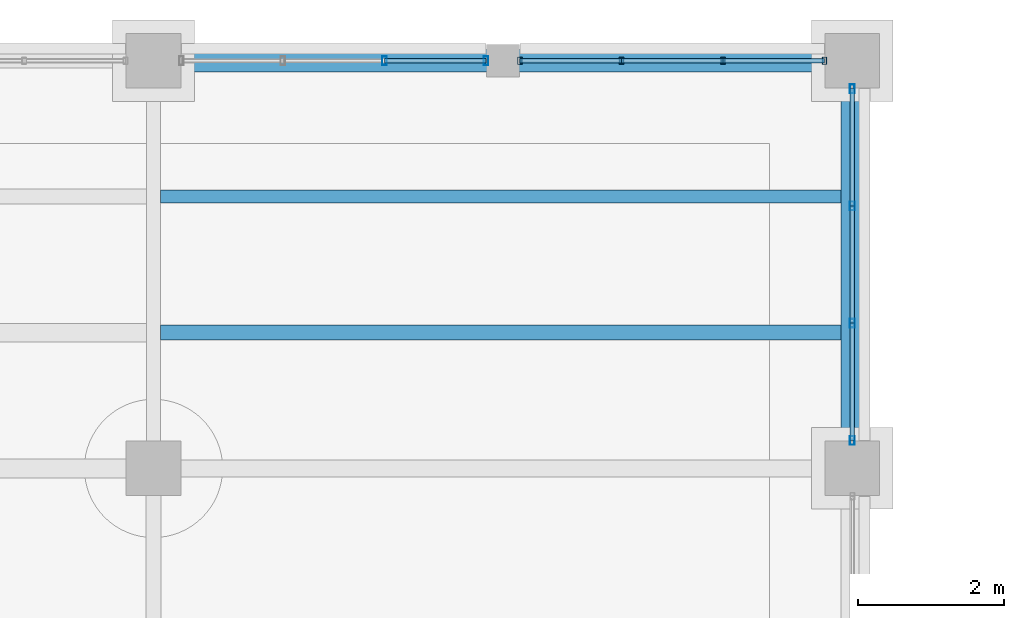
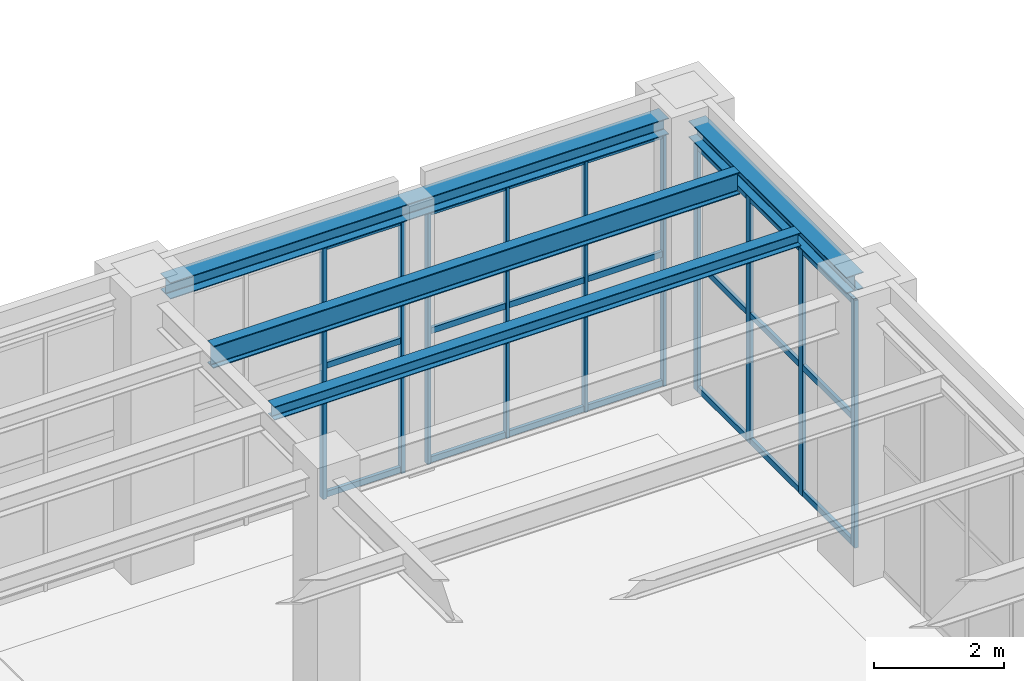
# One storey, part 82 of 164: 31 members, 4 beams, 3 elements without a shape of their own.
"""IFC4 building model written with IfcOpenShell, lengths in metres."""

from ifc_helpers import new_model, si_unit, direction, frame, origin, origin_2d, place, context, subcontext, project, spatial, hollow_rectangle, i_section, extrude, material, material_profile, profile_set, type_object, element, aggregate, save


model = new_model("IFC4")

# Units and contexts
model_context = context("Model", 3, precision=1e-05, world=origin(), true_north=direction((0.0, 1.0)))
body_context = subcontext(model_context, "Body", "Model", "MODEL_VIEW")
ifc_project = project(units=[si_unit("LENGTHUNIT", "METRE"), si_unit("AREAUNIT", "SQUARE_METRE"), si_unit("VOLUMEUNIT", "CUBIC_METRE"), si_unit("PLANEANGLEUNIT", "RADIAN"), si_unit("MASSUNIT", "GRAM", prefix="KILO")], contexts=[model_context])

# Site, building, storey
site_placement = place(None, origin())
site = spatial("IfcSite", under=ifc_project, at=site_placement, CompositionType="ELEMENT")
building_placement = place(site_placement, origin())
building = spatial("IfcBuilding", under=site, at=building_placement, Name="Mavantir Sound Aquarium", CompositionType="ELEMENT")
storey_placement = place(building_placement, origin())
storey = spatial("IfcBuildingStorey", under=building, at=storey_placement, Name="L00", CompositionType="ELEMENT", Elevation=0.0)

# Beams
ifc_material_1 = material(Name="Structural Steel ASTM A992 Gr50", Category="steel")
ifc_material_profile_1 = material_profile(ifc_material_1, i_section(OverallWidth=0.202880859375, OverallDepth=0.251953125, WebThickness=0.008056640625, FlangeThickness=0.013427734375, FilletRadius=0.011962890625, at=origin_2d()), Name="W250X58")
ifc_profile_set_1 = profile_set([ifc_material_profile_1], Name="Structural Steel ASTM A992 Gr50")
beam_type_1 = type_object("IfcBeamType", Name="BM-W250X58-I", PredefinedType="JOIST", material=ifc_profile_set_1)
beam_1_placement = place(storey_placement, frame((28.89697265625, 112.2666015625, 4.969970703125), z_axis=(1.0, 0.0, 0.0), x_axis=(0.0, 1.0, 0.0)))
element("IfcBeam", 1, at=beam_1_placement, inside=storey, type_object=beam_type_1, Name="L00 secondary floor joist SJ-25 608", PredefinedType="JOIST", context=body_context, shape_type="SweptSolid", body=[
    extrude(i_section(OverallWidth=0.202880859375, OverallDepth=0.251953125, WebThickness=0.008056640625, FlangeThickness=0.013427734375, FilletRadius=0.011962890625, at=origin_2d()), origin(), (0.0, 0.0, 1.0), 9.3505859375),
])
ifc_material_profile_2 = material_profile(ifc_material_1, i_section(OverallWidth=0.304931640625, OverallDepth=0.30810546875, WebThickness=0.010009765625, FlangeThickness=0.015380859375, FilletRadius=0.014892578125, at=origin_2d()), Name="W310X97")
ifc_profile_set_2 = profile_set([ifc_material_profile_2], Name="Structural Steel ASTM A992 Gr50")
beam_type_2 = type_object("IfcBeamType", Name="BM-W310X97-E", PredefinedType="SPANDREL", material=ifc_profile_set_2)
beam_2_placement = place(storey_placement, frame((29.175048828125, 116.0, 4.94189453125), z_axis=(1.0, 0.0, 0.0), x_axis=(0.0, 1.0, 0.0)))
element("IfcBeam", 2, at=beam_2_placement, inside=storey, type_object=beam_type_2, Name="L00 primary beam SS-31A 1049", PredefinedType="SPANDREL", context=body_context, shape_type="SweptSolid", body=[
    extrude(i_section(OverallWidth=0.304931640625, OverallDepth=0.30810546875, WebThickness=0.010009765625, FlangeThickness=0.015380859375, FilletRadius=0.014892578125, at=origin_2d()), origin(), (0.0, 0.0, 1.0), 8.849853515625),
])
beam_3_placement = place(storey_placement, frame((38.39990234375, 110.77490234375, 4.94189453125), z_axis=(0.0, 1.0, 0.0), x_axis=(-1.0, 0.0, 0.0)))
element("IfcBeam", 3, at=beam_3_placement, inside=storey, type_object=beam_type_2, Name="L00 primary girder SS-31A 1069", PredefinedType="SPANDREL", context=body_context, shape_type="SweptSolid", body=[
    extrude(i_section(OverallWidth=0.304931640625, OverallDepth=0.30810546875, WebThickness=0.010009765625, FlangeThickness=0.015380859375, FilletRadius=0.014892578125, at=origin_2d()), origin(), (0.0, 0.0, 1.0), 4.85009765625),
])
ifc_material_profile_3 = material_profile(ifc_material_1, i_section(OverallWidth=0.180908203125, OverallDepth=0.4169921875, WebThickness=0.010986328125, FlangeThickness=0.018310546875, FilletRadius=0.014892578125, at=origin_2d()), Name="W410X85")
ifc_profile_set_3 = profile_set([ifc_material_profile_3], Name="Structural Steel ASTM A992 Gr50")
beam_type_3 = type_object("IfcBeamType", Name="BM-W410X85-I", PredefinedType="JOIST", material=ifc_profile_set_3)
beam_4_placement = place(storey_placement, frame((28.89697265625, 114.13330078125, 4.887451171875), z_axis=(1.0, 0.0, 0.0), x_axis=(0.0, 1.0, 0.0)))
element("IfcBeam", 4, at=beam_4_placement, inside=storey, type_object=beam_type_3, Name="L00 secondary floor joist SJ-41 609", PredefinedType="JOIST", context=body_context, shape_type="SweptSolid", body=[
    extrude(i_section(OverallWidth=0.180908203125, OverallDepth=0.4169921875, WebThickness=0.010986328125, FlangeThickness=0.018310546875, FilletRadius=0.014892578125, at=origin_2d()), origin(), (0.0, 0.0, 1.0), 9.3505859375),
])

# Curtain wall, members
ifc_material_2 = material(Name="Anodised Marine Aluminium and Low-E Glass", Category="aluminium")
curtain_wall_type_1 = type_object("IfcCurtainWallType", Name="CW-T11", PredefinedType="USERDEFINED", material=ifc_material_2)
curtain_wall_1_placement = place(storey_placement, origin())
curtain_wall_1 = element("IfcCurtainWall", 5, at=curtain_wall_1_placement, inside=storey, type_object=curtain_wall_type_1, Name="L00 unitised curtain wall CW-11 35", ObjectType="UNITISED GLAZING", PredefinedType="USERDEFINED")
ifc_material_3 = material(Name="Anodised Marine Aluminium 6063-T6", Category="aluminium")
ifc_material_profile_4 = material_profile(ifc_material_3, hollow_rectangle(XDim=0.06005859375, YDim=0.10009765625, WallThickness=0.00390625, at=origin_2d()), Name="ALU-MULLION-100X60")
ifc_profile_set_4 = profile_set([ifc_material_profile_4], Name="Anodised Marine Aluminium 6063-T6")
member_type_1 = type_object("IfcMemberType", Name="CW-MUL-100", PredefinedType="MULLION", material=ifc_profile_set_4)
member_1_placement = place(storey_placement, frame((38.01708984375, 116.0, 0.0), z_axis=(0.0, 0.0, 1.0), x_axis=(1.0, 0.0, 0.0)))
member_1 = element("IfcMember", 6, at=member_1_placement, type_object=member_type_1, Name="CW-L00-035 vertical mullion 1", PredefinedType="MULLION", context=body_context, shape_type="SweptSolid", body=[
    extrude(hollow_rectangle(XDim=0.06005859375, YDim=0.10009765625, WallThickness=0.00390625, at=origin_2d()), origin(), (0.0, 0.0, 1.0), 4.758056640625),
])
member_2_placement = place(storey_placement, frame((36.622314453125, 116.0, 0.0), z_axis=(0.0, 0.0, 1.0), x_axis=(1.0, 0.0, 0.0)))
member_2 = element("IfcMember", 7, at=member_2_placement, type_object=member_type_1, Name="CW-L00-035 vertical mullion 2", PredefinedType="MULLION", context=body_context, shape_type="SweptSolid", body=[
    extrude(hollow_rectangle(XDim=0.06005859375, YDim=0.10009765625, WallThickness=0.00390625, at=origin_2d()), origin(), (0.0, 0.0, 1.0), 4.758056640625),
])
member_3_placement = place(storey_placement, frame((35.227783203125, 116.0, 0.0), z_axis=(0.0, 0.0, 1.0), x_axis=(1.0, 0.0, 0.0)))
member_3 = element("IfcMember", 8, at=member_3_placement, type_object=member_type_1, Name="CW-L00-035 vertical mullion 3", PredefinedType="MULLION", context=body_context, shape_type="SweptSolid", body=[
    extrude(hollow_rectangle(XDim=0.06005859375, YDim=0.10009765625, WallThickness=0.00390625, at=origin_2d()), origin(), (0.0, 0.0, 1.0), 4.758056640625),
])
member_4_placement = place(storey_placement, frame((33.8330078125, 116.0, 0.0), z_axis=(0.0, 0.0, 1.0), x_axis=(1.0, 0.0, 0.0)))
member_4 = element("IfcMember", 9, at=member_4_placement, type_object=member_type_1, Name="CW-L00-035 vertical mullion 4", PredefinedType="MULLION", context=body_context, shape_type="SweptSolid", body=[
    extrude(hollow_rectangle(XDim=0.06005859375, YDim=0.10009765625, WallThickness=0.00390625, at=origin_2d()), origin(), (0.0, 0.0, 1.0), 4.758056640625),
])

curtain_wall_type_2 = type_object("IfcCurtainWallType", Name="CW-T10", PredefinedType="USERDEFINED", material=ifc_material_2)
curtain_wall_2_placement = place(storey_placement, origin())
curtain_wall_2 = element("IfcCurtainWall", 10, at=curtain_wall_2_placement, inside=storey, type_object=curtain_wall_type_2, Name="L00 unitised curtain wall CW-10 34", ObjectType="UNITISED GLAZING", PredefinedType="USERDEFINED")
ifc_material_profile_5 = material_profile(ifc_material_3, hollow_rectangle(XDim=0.06494140625, YDim=0.1201171875, WallThickness=0.00390625, at=origin_2d()), Name="ALU-MULLION-120X65")
ifc_profile_set_5 = profile_set([ifc_material_profile_5], Name="Anodised Marine Aluminium 6063-T6")
member_type_2 = type_object("IfcMemberType", Name="CW-MUL-120", PredefinedType="MULLION", material=ifc_profile_set_5)
member_5_placement = place(storey_placement, frame((38.39990234375, 110.782958984375, 0.0), z_axis=(0.0, 0.0, 1.0), x_axis=(1.0, 0.0, 0.0)))
member_5 = element("IfcMember", 11, at=member_5_placement, type_object=member_type_2, Name="CW-L00-034 vertical mullion 1", PredefinedType="MULLION", context=body_context, shape_type="SweptSolid", body=[
    extrude(hollow_rectangle(XDim=0.06494140625, YDim=0.1201171875, WallThickness=0.00390625, at=origin_2d()), origin(), (0.0, 0.0, 1.0), 4.64892578125),
])
member_6_placement = place(storey_placement, frame((38.39990234375, 112.394287109375, 0.0), z_axis=(0.0, 0.0, 1.0), x_axis=(1.0, 0.0, 0.0)))
member_6 = element("IfcMember", 12, at=member_6_placement, type_object=member_type_2, Name="CW-L00-034 vertical mullion 2", PredefinedType="MULLION", context=body_context, shape_type="SweptSolid", body=[
    extrude(hollow_rectangle(XDim=0.06494140625, YDim=0.1201171875, WallThickness=0.00390625, at=origin_2d()), origin(), (0.0, 0.0, 1.0), 4.64892578125),
])
member_7_placement = place(storey_placement, frame((38.39990234375, 114.005615234375, 0.0), z_axis=(0.0, 0.0, 1.0), x_axis=(1.0, 0.0, 0.0)))
member_7 = element("IfcMember", 13, at=member_7_placement, type_object=member_type_2, Name="CW-L00-034 vertical mullion 3", PredefinedType="MULLION", context=body_context, shape_type="SweptSolid", body=[
    extrude(hollow_rectangle(XDim=0.06494140625, YDim=0.1201171875, WallThickness=0.00390625, at=origin_2d()), origin(), (0.0, 0.0, 1.0), 4.64892578125),
])
member_8_placement = place(storey_placement, frame((38.39990234375, 115.616943359375, 0.0), z_axis=(0.0, 0.0, 1.0), x_axis=(1.0, 0.0, 0.0)))
member_8 = element("IfcMember", 14, at=member_8_placement, type_object=member_type_2, Name="CW-L00-034 vertical mullion 4", PredefinedType="MULLION", context=body_context, shape_type="SweptSolid", body=[
    extrude(hollow_rectangle(XDim=0.06494140625, YDim=0.1201171875, WallThickness=0.00390625, at=origin_2d()), origin(), (0.0, 0.0, 1.0), 4.64892578125),
])

curtain_wall_type_3 = type_object("IfcCurtainWallType", Name="CW-T12", PredefinedType="USERDEFINED", material=ifc_material_2)
curtain_wall_3_placement = place(storey_placement, origin())
curtain_wall_3 = element("IfcCurtainWall", 15, at=curtain_wall_3_placement, inside=storey, type_object=curtain_wall_type_3, Name="L00 unitised curtain wall CW-12 36", ObjectType="UNITISED GLAZING", PredefinedType="USERDEFINED")
member_9_placement = place(storey_placement, frame((33.366943359375, 116.0, 0.0), z_axis=(0.0, 0.0, 1.0), x_axis=(1.0, 0.0, 0.0)))
member_9 = element("IfcMember", 16, at=member_9_placement, type_object=member_type_2, Name="CW-L00-036 vertical mullion 1", PredefinedType="MULLION", context=body_context, shape_type="SweptSolid", body=[
    extrude(hollow_rectangle(XDim=0.06494140625, YDim=0.1201171875, WallThickness=0.00390625, at=origin_2d()), origin(), (0.0, 0.0, 1.0), 4.758056640625),
])
member_10_placement = place(storey_placement, frame((31.972412109375, 116.0, 0.0), z_axis=(0.0, 0.0, 1.0), x_axis=(1.0, 0.0, 0.0)))
member_10 = element("IfcMember", 17, at=member_10_placement, type_object=member_type_2, Name="CW-L00-036 vertical mullion 2", PredefinedType="MULLION", context=body_context, shape_type="SweptSolid", body=[
    extrude(hollow_rectangle(XDim=0.06494140625, YDim=0.1201171875, WallThickness=0.00390625, at=origin_2d()), origin(), (0.0, 0.0, 1.0), 4.758056640625),
])

# Member
ifc_material_profile_6 = material_profile(ifc_material_3, hollow_rectangle(XDim=0.06005859375, YDim=0.110107421875, WallThickness=0.00390625, at=origin_2d()), Name="ALU-TRANSOM-110X60")
ifc_profile_set_6 = profile_set([ifc_material_profile_6], Name="Anodised Marine Aluminium 6063-T6")
member_type_3 = type_object("IfcMemberType", Name="CW-TRN-110", PredefinedType="USERDEFINED", material=ifc_profile_set_6)
member_11_placement = place(storey_placement, frame((38.39990234375, 110.782958984375, 0.054931640625), z_axis=(0.0, 1.0, 0.0), x_axis=(-1.0, 0.0, 0.0)))
member_11 = element("IfcMember", 18, at=member_11_placement, type_object=member_type_3, Name="CW-L00-034 transom 1.1", ObjectType="TRANSOM", PredefinedType="USERDEFINED", context=body_context, shape_type="SweptSolid", body=[
    extrude(hollow_rectangle(XDim=0.06005859375, YDim=0.110107421875, WallThickness=0.00390625, at=origin_2d()), origin(), (0.0, 0.0, 1.0), 1.611328125),
])

member_12_placement = place(storey_placement, frame((38.39990234375, 110.782958984375, 2.41748046875), z_axis=(0.0, 1.0, 0.0), x_axis=(-1.0, 0.0, 0.0)))
member_12 = element("IfcMember", 19, at=member_12_placement, type_object=member_type_3, Name="CW-L00-034 transom 1.2", ObjectType="TRANSOM", PredefinedType="USERDEFINED", context=body_context, shape_type="SweptSolid", body=[
    extrude(hollow_rectangle(XDim=0.06005859375, YDim=0.110107421875, WallThickness=0.00390625, at=origin_2d()), origin(), (0.0, 0.0, 1.0), 1.611328125),
])

member_13_placement = place(storey_placement, frame((38.39990234375, 110.782958984375, 4.593994140625), z_axis=(0.0, 1.0, 0.0), x_axis=(-1.0, 0.0, 0.0)))
member_13 = element("IfcMember", 20, at=member_13_placement, type_object=member_type_3, Name="CW-L00-034 transom 1.3", ObjectType="TRANSOM", PredefinedType="USERDEFINED", context=body_context, shape_type="SweptSolid", body=[
    extrude(hollow_rectangle(XDim=0.06005859375, YDim=0.110107421875, WallThickness=0.00390625, at=origin_2d()), origin(), (0.0, 0.0, 1.0), 1.611328125),
])

member_14_placement = place(storey_placement, frame((38.39990234375, 112.394287109375, 0.054931640625), z_axis=(0.0, 1.0, 0.0), x_axis=(-1.0, 0.0, 0.0)))
member_14 = element("IfcMember", 21, at=member_14_placement, type_object=member_type_3, Name="CW-L00-034 transom 2.1", ObjectType="TRANSOM", PredefinedType="USERDEFINED", context=body_context, shape_type="SweptSolid", body=[
    extrude(hollow_rectangle(XDim=0.06005859375, YDim=0.110107421875, WallThickness=0.00390625, at=origin_2d()), origin(), (0.0, 0.0, 1.0), 1.611328125),
])

member_15_placement = place(storey_placement, frame((38.39990234375, 112.394287109375, 2.41748046875), z_axis=(0.0, 1.0, 0.0), x_axis=(-1.0, 0.0, 0.0)))
member_15 = element("IfcMember", 22, at=member_15_placement, type_object=member_type_3, Name="CW-L00-034 transom 2.2", ObjectType="TRANSOM", PredefinedType="USERDEFINED", context=body_context, shape_type="SweptSolid", body=[
    extrude(hollow_rectangle(XDim=0.06005859375, YDim=0.110107421875, WallThickness=0.00390625, at=origin_2d()), origin(), (0.0, 0.0, 1.0), 1.611328125),
])

member_16_placement = place(storey_placement, frame((38.39990234375, 112.394287109375, 4.593994140625), z_axis=(0.0, 1.0, 0.0), x_axis=(-1.0, 0.0, 0.0)))
member_16 = element("IfcMember", 23, at=member_16_placement, type_object=member_type_3, Name="CW-L00-034 transom 2.3", ObjectType="TRANSOM", PredefinedType="USERDEFINED", context=body_context, shape_type="SweptSolid", body=[
    extrude(hollow_rectangle(XDim=0.06005859375, YDim=0.110107421875, WallThickness=0.00390625, at=origin_2d()), origin(), (0.0, 0.0, 1.0), 1.611328125),
])

member_17_placement = place(storey_placement, frame((38.39990234375, 114.005615234375, 0.054931640625), z_axis=(0.0, 1.0, 0.0), x_axis=(-1.0, 0.0, 0.0)))
member_17 = element("IfcMember", 24, at=member_17_placement, type_object=member_type_3, Name="CW-L00-034 transom 3.1", ObjectType="TRANSOM", PredefinedType="USERDEFINED", context=body_context, shape_type="SweptSolid", body=[
    extrude(hollow_rectangle(XDim=0.06005859375, YDim=0.110107421875, WallThickness=0.00390625, at=origin_2d()), origin(), (0.0, 0.0, 1.0), 1.611328125),
])

member_18_placement = place(storey_placement, frame((38.39990234375, 114.005615234375, 2.41748046875), z_axis=(0.0, 1.0, 0.0), x_axis=(-1.0, 0.0, 0.0)))
member_18 = element("IfcMember", 25, at=member_18_placement, type_object=member_type_3, Name="CW-L00-034 transom 3.2", ObjectType="TRANSOM", PredefinedType="USERDEFINED", context=body_context, shape_type="SweptSolid", body=[
    extrude(hollow_rectangle(XDim=0.06005859375, YDim=0.110107421875, WallThickness=0.00390625, at=origin_2d()), origin(), (0.0, 0.0, 1.0), 1.611328125),
])

member_19_placement = place(storey_placement, frame((38.39990234375, 114.005615234375, 4.593994140625), z_axis=(0.0, 1.0, 0.0), x_axis=(-1.0, 0.0, 0.0)))
member_19 = element("IfcMember", 26, at=member_19_placement, type_object=member_type_3, Name="CW-L00-034 transom 3.3", ObjectType="TRANSOM", PredefinedType="USERDEFINED", context=body_context, shape_type="SweptSolid", body=[
    extrude(hollow_rectangle(XDim=0.06005859375, YDim=0.110107421875, WallThickness=0.00390625, at=origin_2d()), origin(), (0.0, 0.0, 1.0), 1.611328125),
])

aggregate(curtain_wall_2, [member_5, member_6, member_7, member_8, member_11, member_12, member_13, member_14, member_15, member_16, member_17, member_18, member_19])

member_20_placement = place(storey_placement, frame((38.01708984375, 116.0, 0.054931640625), z_axis=(-1.0, 0.0, 0.0), x_axis=(0.0, -1.0, 0.0)))
member_20 = element("IfcMember", 27, at=member_20_placement, type_object=member_type_3, Name="CW-L00-035 transom 1.1", ObjectType="TRANSOM", PredefinedType="USERDEFINED", context=body_context, shape_type="SweptSolid", body=[
    extrude(hollow_rectangle(XDim=0.06005859375, YDim=0.110107421875, WallThickness=0.00390625, at=origin_2d()), origin(), (0.0, 0.0, 1.0), 1.394775390625),
])

member_21_placement = place(storey_placement, frame((38.01708984375, 116.0, 2.47412109375), z_axis=(-1.0, 0.0, 0.0), x_axis=(0.0, -1.0, 0.0)))
member_21 = element("IfcMember", 28, at=member_21_placement, type_object=member_type_3, Name="CW-L00-035 transom 1.2", ObjectType="TRANSOM", PredefinedType="USERDEFINED", context=body_context, shape_type="SweptSolid", body=[
    extrude(hollow_rectangle(XDim=0.06005859375, YDim=0.110107421875, WallThickness=0.00390625, at=origin_2d()), origin(), (0.0, 0.0, 1.0), 1.394775390625),
])

member_22_placement = place(storey_placement, frame((38.01708984375, 116.0, 4.702880859375), z_axis=(-1.0, 0.0, 0.0), x_axis=(0.0, -1.0, 0.0)))
member_22 = element("IfcMember", 29, at=member_22_placement, type_object=member_type_3, Name="CW-L00-035 transom 1.3", ObjectType="TRANSOM", PredefinedType="USERDEFINED", context=body_context, shape_type="SweptSolid", body=[
    extrude(hollow_rectangle(XDim=0.06005859375, YDim=0.110107421875, WallThickness=0.00390625, at=origin_2d()), origin(), (0.0, 0.0, 1.0), 1.394775390625),
])

member_23_placement = place(storey_placement, frame((36.622314453125, 116.0, 0.054931640625), z_axis=(-1.0, 0.0, 0.0), x_axis=(0.0, -1.0, 0.0)))
member_23 = element("IfcMember", 30, at=member_23_placement, type_object=member_type_3, Name="CW-L00-035 transom 2.1", ObjectType="TRANSOM", PredefinedType="USERDEFINED", context=body_context, shape_type="SweptSolid", body=[
    extrude(hollow_rectangle(XDim=0.06005859375, YDim=0.110107421875, WallThickness=0.00390625, at=origin_2d()), origin(), (0.0, 0.0, 1.0), 1.39453125),
])

member_24_placement = place(storey_placement, frame((36.622314453125, 116.0, 2.47412109375), z_axis=(-1.0, 0.0, 0.0), x_axis=(0.0, -1.0, 0.0)))
member_24 = element("IfcMember", 31, at=member_24_placement, type_object=member_type_3, Name="CW-L00-035 transom 2.2", ObjectType="TRANSOM", PredefinedType="USERDEFINED", context=body_context, shape_type="SweptSolid", body=[
    extrude(hollow_rectangle(XDim=0.06005859375, YDim=0.110107421875, WallThickness=0.00390625, at=origin_2d()), origin(), (0.0, 0.0, 1.0), 1.39453125),
])

member_25_placement = place(storey_placement, frame((36.622314453125, 116.0, 4.702880859375), z_axis=(-1.0, 0.0, 0.0), x_axis=(0.0, -1.0, 0.0)))
member_25 = element("IfcMember", 32, at=member_25_placement, type_object=member_type_3, Name="CW-L00-035 transom 2.3", ObjectType="TRANSOM", PredefinedType="USERDEFINED", context=body_context, shape_type="SweptSolid", body=[
    extrude(hollow_rectangle(XDim=0.06005859375, YDim=0.110107421875, WallThickness=0.00390625, at=origin_2d()), origin(), (0.0, 0.0, 1.0), 1.39453125),
])

member_26_placement = place(storey_placement, frame((35.227783203125, 116.0, 0.054931640625), z_axis=(-1.0, 0.0, 0.0), x_axis=(0.0, -1.0, 0.0)))
member_26 = element("IfcMember", 33, at=member_26_placement, type_object=member_type_3, Name="CW-L00-035 transom 3.1", ObjectType="TRANSOM", PredefinedType="USERDEFINED", context=body_context, shape_type="SweptSolid", body=[
    extrude(hollow_rectangle(XDim=0.06005859375, YDim=0.110107421875, WallThickness=0.00390625, at=origin_2d()), origin(), (0.0, 0.0, 1.0), 1.394775390625),
])

member_27_placement = place(storey_placement, frame((35.227783203125, 116.0, 2.47412109375), z_axis=(-1.0, 0.0, 0.0), x_axis=(0.0, -1.0, 0.0)))
member_27 = element("IfcMember", 34, at=member_27_placement, type_object=member_type_3, Name="CW-L00-035 transom 3.2", ObjectType="TRANSOM", PredefinedType="USERDEFINED", context=body_context, shape_type="SweptSolid", body=[
    extrude(hollow_rectangle(XDim=0.06005859375, YDim=0.110107421875, WallThickness=0.00390625, at=origin_2d()), origin(), (0.0, 0.0, 1.0), 1.394775390625),
])

member_28_placement = place(storey_placement, frame((35.227783203125, 116.0, 4.702880859375), z_axis=(-1.0, 0.0, 0.0), x_axis=(0.0, -1.0, 0.0)))
member_28 = element("IfcMember", 35, at=member_28_placement, type_object=member_type_3, Name="CW-L00-035 transom 3.3", ObjectType="TRANSOM", PredefinedType="USERDEFINED", context=body_context, shape_type="SweptSolid", body=[
    extrude(hollow_rectangle(XDim=0.06005859375, YDim=0.110107421875, WallThickness=0.00390625, at=origin_2d()), origin(), (0.0, 0.0, 1.0), 1.394775390625),
])

aggregate(curtain_wall_1, [member_1, member_2, member_3, member_4, member_20, member_21, member_22, member_23, member_24, member_25, member_26, member_27, member_28])

member_29_placement = place(storey_placement, frame((33.366943359375, 116.0, 0.054931640625), z_axis=(-1.0, 0.0, 0.0), x_axis=(0.0, -1.0, 0.0)))
member_29 = element("IfcMember", 36, at=member_29_placement, type_object=member_type_3, Name="CW-L00-036 transom 1.1", ObjectType="TRANSOM", PredefinedType="USERDEFINED", context=body_context, shape_type="SweptSolid", body=[
    extrude(hollow_rectangle(XDim=0.06005859375, YDim=0.110107421875, WallThickness=0.00390625, at=origin_2d()), origin(), (0.0, 0.0, 1.0), 1.39453125),
])

member_30_placement = place(storey_placement, frame((33.366943359375, 116.0, 2.47412109375), z_axis=(-1.0, 0.0, 0.0), x_axis=(0.0, -1.0, 0.0)))
member_30 = element("IfcMember", 37, at=member_30_placement, type_object=member_type_3, Name="CW-L00-036 transom 1.2", ObjectType="TRANSOM", PredefinedType="USERDEFINED", context=body_context, shape_type="SweptSolid", body=[
    extrude(hollow_rectangle(XDim=0.06005859375, YDim=0.110107421875, WallThickness=0.00390625, at=origin_2d()), origin(), (0.0, 0.0, 1.0), 1.39453125),
])

member_31_placement = place(storey_placement, frame((33.366943359375, 116.0, 4.702880859375), z_axis=(-1.0, 0.0, 0.0), x_axis=(0.0, -1.0, 0.0)))
member_31 = element("IfcMember", 38, at=member_31_placement, type_object=member_type_3, Name="CW-L00-036 transom 1.3", ObjectType="TRANSOM", PredefinedType="USERDEFINED", context=body_context, shape_type="SweptSolid", body=[
    extrude(hollow_rectangle(XDim=0.06005859375, YDim=0.110107421875, WallThickness=0.00390625, at=origin_2d()), origin(), (0.0, 0.0, 1.0), 1.39453125),
])

aggregate(curtain_wall_3, [member_9, member_10, member_29, member_30, member_31])

save(model, "model.ifc")
